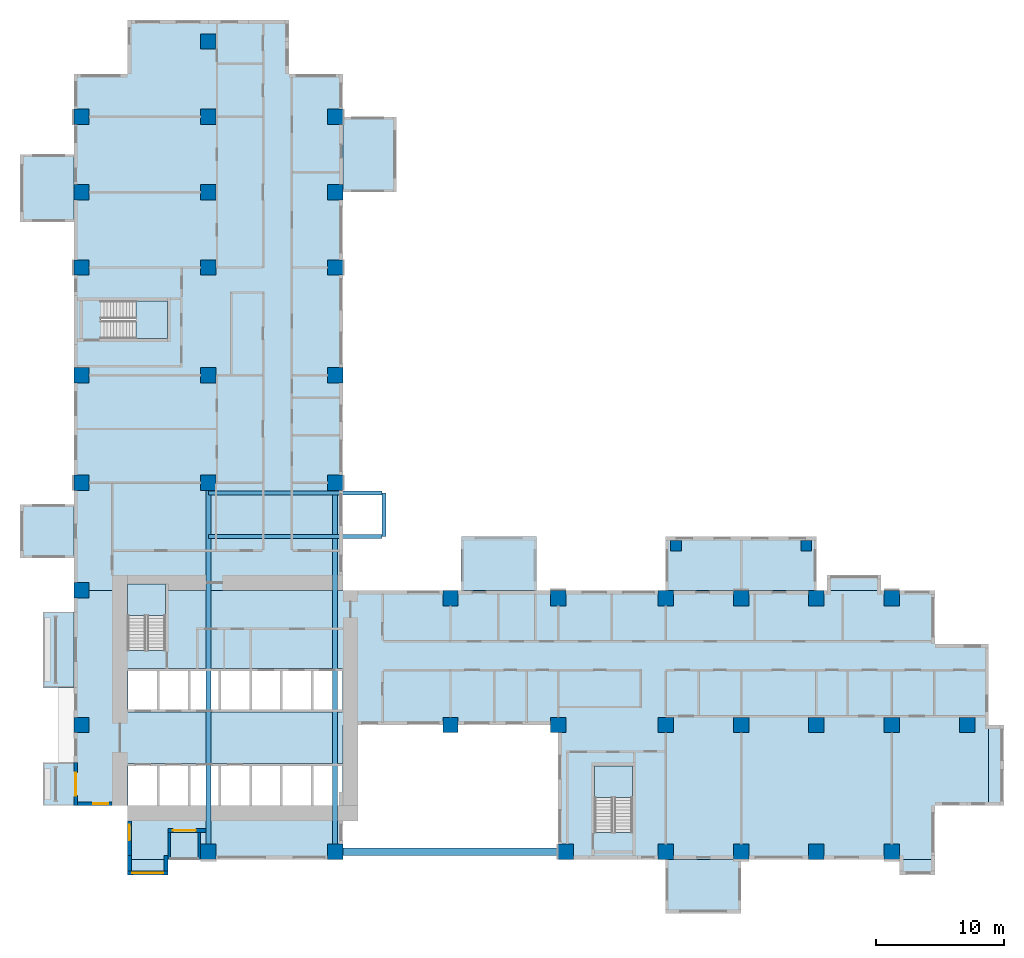
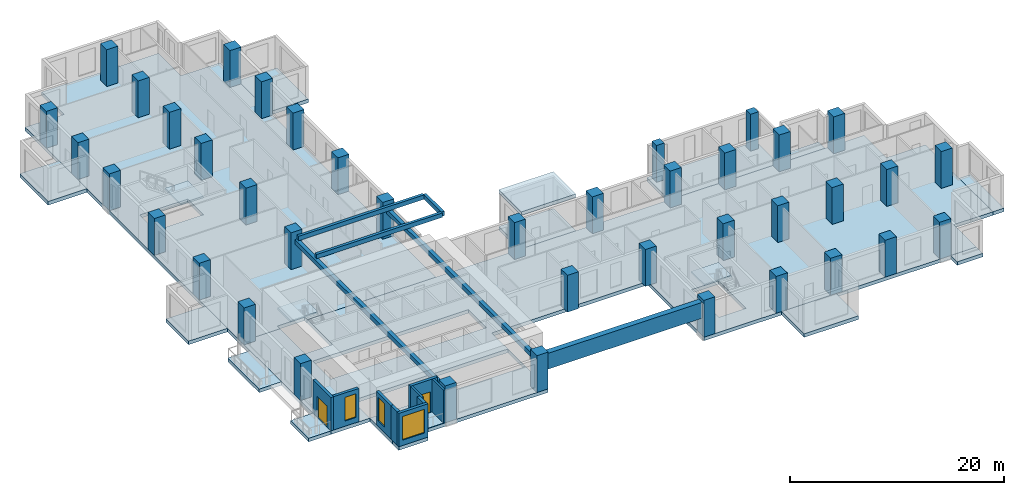
# One storey, part 1 of 14: 40 columns, 19 slabs, 9 walls, 6 beams, 3 windows, 2 doors, 5 openings, 3 elements without a shape of their own.
"""IFC4 building model written with IfcOpenShell, lengths in metres."""

from ifc_helpers import new_model, si_unit, direction, frame, frame_2d, origin, origin_2d, place, context, subcontext, project, spatial, polyline, rectangle, outline, extrude, source, transform, mapped, material, layer, layer_set, material_profile, profile_set, type_object, element, fill, aggregate, save


model = new_model("IFC4")

# Units and contexts
model_context = context("Model", 3, precision=1e-05, world=origin(), true_north=direction((0.0, 1.0)))
body_context = subcontext(model_context, "Body", "Model", "MODEL_VIEW")
ifc_project = project(units=[si_unit("LENGTHUNIT", "METRE"), si_unit("AREAUNIT", "SQUARE_METRE"), si_unit("VOLUMEUNIT", "CUBIC_METRE"), si_unit("PLANEANGLEUNIT", "RADIAN"), si_unit("MASSUNIT", "GRAM", prefix="KILO")], contexts=[model_context])

# Site, building, storey
site_placement = place(None, origin())
site = spatial("IfcSite", under=ifc_project, at=site_placement, CompositionType="ELEMENT")
building_placement = place(site_placement, origin())
building = spatial("IfcBuilding", under=site, at=building_placement, Name="Aurelian Terraces", CompositionType="ELEMENT")
storey_placement = place(building_placement, frame((0.0, 0.0, 57.3)))
storey = spatial("IfcBuildingStorey", under=building, at=storey_placement, Name="L11", CompositionType="ELEMENT", Elevation=57.3)

# Columns
ifc_material_1 = material(Name="Concrete fc' 83 MPa", Category="concrete")
ifc_material_profile_1 = material_profile(ifc_material_1, rectangle(XDim=1.2, YDim=1.2, at=origin_2d()))
ifc_profile_set_1 = profile_set([ifc_material_profile_1], Name="Concrete fc' 83 MPa")
column_type_1 = type_object("IfcColumnType", Name="RC COLUMN 1200X1200 FC83", PredefinedType="COLUMN", material=ifc_profile_set_1)
shared_shape_1 = source(origin(), body_context, "Body", "SweptSolid", [
    extrude(rectangle(XDim=1.2, YDim=1.2, at=origin_2d()), origin(), (0.0, 0.0, 1.0), 4.2),
])
for number, where, z_axis, x_axis, name in (
    (1, (10.5, 0.6, 0.0), (0.0, 0.0, 1.0), (1.0, 0.0, 0.0), "Column 2/A L11"),
    (2, (20.4, 0.6, 0.0), (0.0, 0.0, 1.0), (1.0, 0.0, 0.0), "Column 3/A L11"),
    (3, (38.4, 0.6, 0.0), (0.0, 0.0, 1.0), (1.0, 0.0, 0.0), "Column 5/A L11"),
    (4, (46.2, 0.6, 0.0), (0.0, 0.0, 1.0), (1.0, 0.0, 0.0), "Column 6/A L11"),
    (5, (52.08, 0.6, 0.0), (0.0, 0.0, 1.0), (1.0, 0.0, 0.0), "Column 7/A L11"),
    (6, (57.96, 0.6, 0.0), (0.0, 0.0, 1.0), (1.0, 0.0, 0.0), "Column 8/A L11"),
    (7, (63.84, 0.6, 0.0), (0.0, 0.0, 1.0), (1.0, 0.0, 0.0), "Column 9/A L11"),
    (8, (0.6, 10.5, 0.0), (0.0, 0.0, 1.0), (1.0, 0.0, 0.0), "Column 1/B L11"),
    (9, (29.4, 10.5, 0.0), (0.0, 0.0, 1.0), (1.0, 0.0, 0.0), "Column 4/B L11"),
    (10, (37.8, 10.5, 0.0), (0.0, 0.0, 1.0), (1.0, 0.0, 0.0), "Column 5/B L11"),
    (11, (46.2, 10.5, 0.0), (0.0, 0.0, 1.0), (1.0, 0.0, 0.0), "Column 6/B L11"),
    (12, (52.08, 10.5, 0.0), (0.0, 0.0, 1.0), (1.0, 0.0, 0.0), "Column 7/B L11"),
    (13, (57.96, 10.5, 0.0), (0.0, 0.0, 1.0), (1.0, 0.0, 0.0), "Column 8/B L11"),
    (14, (63.84, 10.5, 0.0), (0.0, 0.0, 1.0), (1.0, 0.0, 0.0), "Column 9/B L11"),
    (15, (69.72, 10.5, 0.0), (0.0, 0.0, 1.0), (1.0, 0.0, 0.0), "Column 10/B L11"),
    (16, (0.6, 21.0, 0.0), (0.0, 0.0, 1.0), (1.0, 0.0, 0.0), "Column 1/C L11"),
    (17, (29.4, 20.4, 0.0), (0.0, 0.0, 1.0), (1.0, 0.0, 0.0), "Column 4/C L11"),
    (18, (37.8, 20.4, 0.0), (0.0, 0.0, 1.0), (1.0, 0.0, 0.0), "Column 5/C L11"),
    (19, (46.2, 20.4, 0.0), (0.0, 0.0, 1.0), (1.0, 0.0, 0.0), "Column 6/C L11"),
    (20, (52.08, 20.4, 0.0), (0.0, 0.0, 1.0), (1.0, 0.0, 0.0), "Column 7/C L11"),
    (21, (57.96, 20.4, 0.0), (0.0, 0.0, 1.0), (1.0, 0.0, 0.0), "Column 8/C L11"),
    (22, (63.84, 20.4, 0.0), (0.0, 0.0, 1.0), (1.0, 0.0, 0.0), "Column 9/C L11"),
    (23, (0.6, 29.4, 0.0), (0.0, 0.0, 1.0), (1.0, 0.0, 0.0), "Column 1/D L11"),
    (24, (10.5, 29.4, 0.0), (0.0, 0.0, 1.0), (1.0, 0.0, 0.0), "Column 2/D L11"),
    (25, (20.4, 29.4, 0.0), (0.0, 0.0, 1.0), (1.0, 0.0, 0.0), "Column 3/D L11"),
    (26, (0.6, 37.8, 0.0), (0.0, 0.0, 1.0), (1.0, 0.0, 0.0), "Column 1/E L11"),
    (27, (10.5, 37.8, 0.0), (0.0, 0.0, 1.0), (1.0, 0.0, 0.0), "Column 2/E L11"),
    (28, (20.4, 37.8, 0.0), (0.0, 0.0, 1.0), (1.0, 0.0, 0.0), "Column 3/E L11"),
    (29, (0.6, 46.2, 0.0), (0.0, 0.0, 1.0), (1.0, 0.0, 0.0), "Column 1/F L11"),
    (30, (10.5, 46.2, 0.0), (0.0, 0.0, 1.0), (1.0, 0.0, 0.0), "Column 2/F L11"),
    (31, (20.4, 46.2, 0.0), (0.0, 0.0, 1.0), (1.0, 0.0, 0.0), "Column 3/F L11"),
    (32, (0.6, 52.08, 0.0), (0.0, 0.0, 1.0), (1.0, 0.0, 0.0), "Column 1/G L11"),
    (33, (10.5, 52.08, 0.0), (0.0, 0.0, 1.0), (1.0, 0.0, 0.0), "Column 2/G L11"),
    (34, (20.4, 52.08, 0.0), (0.0, 0.0, 1.0), (1.0, 0.0, 0.0), "Column 3/G L11"),
    (35, (0.6, 57.96, 0.0), (0.0, 0.0, 1.0), (1.0, 0.0, 0.0), "Column 1/H L11"),
    (36, (10.5, 57.96, 0.0), (0.0, 0.0, 1.0), (1.0, 0.0, 0.0), "Column 2/H L11"),
    (37, (20.4, 57.96, 0.0), (0.0, 0.0, 1.0), (1.0, 0.0, 0.0), "Column 3/H L11"),
    (38, (10.5, 63.84, 0.0), (0.0, 0.0, 1.0), (1.0, 0.0, 0.0), "Column 2/I L11"),
):
    element("IfcColumn", number, at=place(storey_placement, frame(where, z_axis=z_axis, x_axis=x_axis)), inside=storey, type_object=column_type_1, Name=name, PredefinedType="COLUMN", context=body_context, shape_type="MappedRepresentation", body=[
        mapped(shared_shape_1, transform((0.0, 0.0, 0.0), scale=1.0)),
    ])
ifc_material_2 = material(Name="Concrete fc' 55 MPa", Category="concrete")
ifc_material_profile_2 = material_profile(ifc_material_2, rectangle(XDim=0.84, YDim=0.84, at=origin_2d()))
ifc_profile_set_2 = profile_set([ifc_material_profile_2], Name="Concrete fc' 55 MPa")
column_type_2 = type_object("IfcColumnType", Name="BLOCK CORNER PIER 840X840", PredefinedType="COLUMN", material=ifc_profile_set_2)
shared_shape_2 = source(origin(), body_context, "Body", "SweptSolid", [
    extrude(rectangle(XDim=0.84, YDim=0.84, at=origin_2d()), origin(), (0.0, 0.0, 1.0), 4.2),
])
for number, where, z_axis, x_axis, name in (
    (39, (47.0, 24.48, 0.0), (0.0, 0.0, 1.0), (1.0, 0.0, 0.0), "Block pier K01.1 L11"),
    (40, (57.16, 24.48, 0.0), (0.0, 0.0, 1.0), (1.0, 0.0, 0.0), "Block pier K01.2 L11"),
):
    element("IfcColumn", number, at=place(storey_placement, frame(where, z_axis=z_axis, x_axis=x_axis)), inside=storey, type_object=column_type_2, Name=name, PredefinedType="COLUMN", context=body_context, shape_type="MappedRepresentation", body=[
        mapped(shared_shape_2, transform((0.0, 0.0, 0.0), scale=1.0)),
    ])

# Beams
ifc_material_3 = material(Name="Concrete fc' 40 MPa", Category="concrete")
ifc_material_profile_3 = material_profile(ifc_material_3, rectangle(XDim=0.3, YDim=0.5, at=origin_2d()))
ifc_profile_set_3 = profile_set([ifc_material_profile_3], Name="Concrete fc' 40 MPa")
beam_type_1 = type_object("IfcBeamType", Name="CONCRETE CANTILEVER BEAM 300X500", PredefinedType="BEAM", material=ifc_profile_set_3)
beam_1_placement = place(storey_placement, frame((24.2, 25.2, 3.55), z_axis=(0.0, 1.0, 0.0), x_axis=(-1.0, 0.0, 0.0)))
element("IfcBeam", 41, at=beam_1_placement, inside=storey, type_object=beam_type_1, Name="Box tip beam J11", PredefinedType="BEAM", context=body_context, shape_type="SweptSolid", body=[
    extrude(rectangle(XDim=0.3, YDim=0.5, at=origin_2d()), origin(), (0.0, 0.0, 1.0), 3.4),
])
ifc_material_4 = material(Name="Concrete fc' 70 MPa", Category="concrete")
ifc_material_profile_4 = material_profile(ifc_material_4, rectangle(XDim=0.6, YDim=1.8, at=origin_2d()))
ifc_profile_set_4 = profile_set([ifc_material_profile_4], Name="Concrete fc' 70 MPa")
beam_type_2 = type_object("IfcBeamType", Name="CONCRETE HEAD GIRDER 600X1800", PredefinedType="BEAM", material=ifc_profile_set_4)
beam_2_placement = place(storey_placement, frame((21.0, 0.6, 2.9), z_axis=(1.0, 0.0, 0.0), x_axis=(0.0, 1.0, 0.0)))
element("IfcBeam", 42, at=beam_2_placement, inside=storey, type_object=beam_type_2, Name="Sky terrace head girder SKY-01.1", PredefinedType="BEAM", context=body_context, shape_type="SweptSolid", body=[
    extrude(rectangle(XDim=0.6, YDim=1.8, at=origin_2d()), origin(), (0.0, 0.0, 1.0), 16.8),
])
shared_shape_3 = source(origin(), body_context, "Body", "SweptSolid", [
    extrude(rectangle(XDim=0.3, YDim=0.5, at=origin_2d()), origin(), (0.0, 0.0, 1.0), 13.55),
])
for number, where, z_axis, x_axis, name in (
    (43, (24.05, 25.2, 3.55), (-1.0, 0.0, 0.0), (0.0, -1.0, 0.0), "Box cantilever beam J11.1"),
    (44, (24.05, 28.6, 3.55), (-1.0, 0.0, 0.0), (0.0, -1.0, 0.0), "Box cantilever beam J11.2"),
):
    element("IfcBeam", number, at=place(storey_placement, frame(where, z_axis=z_axis, x_axis=x_axis)), inside=storey, type_object=beam_type_1, Name=name, PredefinedType="BEAM", context=body_context, shape_type="MappedRepresentation", body=[
        mapped(shared_shape_3, transform((0.0, 0.0, 0.0), scale=1.0)),
    ])
ifc_material_profile_5 = material_profile(ifc_material_3, rectangle(XDim=0.4, YDim=0.5, at=origin_2d()))
ifc_profile_set_5 = profile_set([ifc_material_profile_5], Name="Concrete fc' 40 MPa")
beam_type_3 = type_object("IfcBeamType", Name="CONCRETE EDGE GIRDER 400X500", PredefinedType="BEAM", material=ifc_profile_set_5)
shared_shape_4 = source(origin(), body_context, "Body", "SweptSolid", [
    extrude(rectangle(XDim=0.4, YDim=0.5, at=origin_2d()), origin(), (0.0, 0.0, 1.0), 27.6),
])
for number, where, z_axis, x_axis, name in (
    (45, (20.4, 1.2, 3.05), (0.0, 1.0, 0.0), (-1.0, 0.0, 0.0), "Box girder L11 O23"),
    (46, (10.5, 1.2, 3.05), (0.0, 1.0, 0.0), (-1.0, 0.0, 0.0), "Box girder L11 I24"),
):
    element("IfcBeam", number, at=place(storey_placement, frame(where, z_axis=z_axis, x_axis=x_axis)), inside=storey, type_object=beam_type_3, Name=name, PredefinedType="BEAM", context=body_context, shape_type="MappedRepresentation", body=[
        mapped(shared_shape_4, transform((0.0, 0.0, 0.0), scale=1.0)),
    ])

# Slabs
ifc_layer_1 = layer(ifc_material_3, 0.41)
ifc_layer_set_1 = layer_set([ifc_layer_1], Name="Box floor 410")
slab_type_1 = type_object("IfcSlabType", Name="Box floor 410", PredefinedType="NOTDEFINED", material=ifc_layer_set_1)
slab_1_placement = place(storey_placement, frame((0.0, 0.0, -0.41)))
element("IfcSlab", 47, at=slab_1_placement, inside=storey, type_object=slab_type_1, Name="Box floor L11 J08", PredefinedType="NOTDEFINED", context=body_context, shape_type="SweptSolid", body=[
    extrude(outline(polyline([(25.2, 52.08), (25.2, 57.96), (21.0, 57.96), (21.0, 52.08), (25.2, 52.08)])), origin(), (0.0, 0.0, 1.0), 0.41),
])
ifc_layer_2 = layer(ifc_material_3, 0.4)
ifc_layer_set_2 = layer_set([ifc_layer_2], Name="Box roof 400")
slab_type_2 = type_object("IfcSlabType", Name="Box roof 400", PredefinedType="ROOF", material=ifc_layer_set_2)
slab_2_placement = place(storey_placement, frame((0.0, 0.0, 3.8)))
element("IfcSlab", 48, at=slab_2_placement, inside=storey, type_object=slab_type_2, Name="Box roof J06", PredefinedType="ROOF", context=body_context, shape_type="SweptSolid", body=[
    extrude(outline(polyline([(36.12, 25.2), (30.24, 25.2), (30.24, 21.0), (36.12, 21.0), (36.12, 25.2)])), origin(), (0.0, 0.0, 1.0), 0.4),
])
ifc_layer_3 = layer(ifc_material_3, 0.4)
ifc_layer_set_3 = layer_set([ifc_layer_3], Name="PT FLAT PLATE 400")
slab_type_3 = type_object("IfcSlabType", Name="PT FLAT PLATE 400", PredefinedType="FLOOR", material=ifc_layer_set_3)
shared_shape_5 = source(origin(), body_context, "Body", "SweptSolid", [
    extrude(outline(polyline([(7.14, 21.0), (7.14, 21.49), (4.21, 21.49), (4.21, 21.0), (0.0, 21.0), (0.0, 61.32), (4.2, 61.32), (4.2, 65.52), (16.8, 65.52), (16.8, 61.32), (21.0, 61.32), (21.0, 21.0), (7.14, 21.0)]), holes=[polyline([(7.29, 43.59), (2.11, 43.59), (2.11, 40.66), (7.29, 40.66), (7.29, 43.59)])]), origin(), (0.0, 0.0, 1.0), 0.4),
])
slab_3_placement = place(storey_placement, frame((0.0, 0.0, -0.4)))
element("IfcSlab", 49, at=slab_3_placement, inside=storey, type_object=slab_type_3, Name="Floor slab W L11", PredefinedType="FLOOR", context=body_context, shape_type="MappedRepresentation", body=[
    mapped(shared_shape_5, transform((0.0, 0.0, 0.0), scale=1.0)),
])
shared_shape_6 = source(origin(), body_context, "Body", "SweptSolid", [
    extrude(outline(polyline([(71.4, 16.8), (71.4, 4.2), (67.2, 4.2), (67.2, 0.0), (37.8, 0.0), (37.8, 10.5), (21.0, 10.5), (21.0, 0.0), (4.2, 0.0), (4.2, 4.2), (0.0, 4.2), (0.0, 21.0), (4.21, 21.0), (4.21, 16.31), (7.14, 16.31), (7.14, 21.0), (21.0, 21.0), (67.2, 21.0), (67.2, 16.8), (71.4, 16.8)]), holes=[polyline([(40.66, 2.11), (43.59, 2.11), (43.59, 7.29), (40.66, 7.29), (40.66, 2.11)]), polyline([(4.21, 7.49), (4.21, 4.21), (20.99, 4.21), (20.99, 7.49), (4.21, 7.49)]), polyline([(4.21, 14.89), (4.21, 11.51), (20.99, 11.51), (20.99, 14.89), (4.21, 14.89)])]), origin(), (0.0, 0.0, 1.0), 0.4),
])
slab_4_placement = place(storey_placement, frame((0.0, 0.0, -0.4)))
element("IfcSlab", 50, at=slab_4_placement, inside=storey, type_object=slab_type_3, Name="Floor slab S L11", PredefinedType="FLOOR", context=body_context, shape_type="MappedRepresentation", body=[
    mapped(shared_shape_6, transform((0.0, 0.0, 0.0), scale=1.0)),
])
ifc_layer_4 = layer(ifc_material_3, 0.4)
ifc_layer_set_4 = layer_set([ifc_layer_4], Name="Bay floor 400")
slab_type_4 = type_object("IfcSlabType", Name="Bay floor 400", PredefinedType="NOTDEFINED", material=ifc_layer_set_4)
shared_shape_7 = source(origin(), body_context, "Body", "SweptSolid", [
    extrude(outline(polyline([(63.0, 21.0), (58.8, 21.0), (58.8, 22.2), (63.0, 22.2), (63.0, 21.0)])), origin(), (0.0, 0.0, 1.0), 0.4),
])
slab_5_placement = place(storey_placement, frame((0.0, 0.0, -0.4)))
element("IfcSlab", 51, at=slab_5_placement, inside=storey, type_object=slab_type_4, Name="Bay floor L11 F11.22", PredefinedType="NOTDEFINED", context=body_context, shape_type="MappedRepresentation", body=[
    mapped(shared_shape_7, transform((0.0, 0.0, 0.0), scale=1.0)),
])
ifc_layer_5 = layer(ifc_material_3, 0.4)
ifc_layer_set_5 = layer_set([ifc_layer_5], Name="Balcony slab 400")
slab_type_5 = type_object("IfcSlabType", Name="Balcony slab 400", PredefinedType="NOTDEFINED", material=ifc_layer_set_5)
shared_shape_8 = source(origin(), body_context, "Body", "SweptSolid", [
    extrude(outline(polyline([(0.0, 19.32), (0.0, 13.44), (-2.4, 13.44), (-2.4, 19.32), (0.0, 19.32)])), origin(), (0.0, 0.0, 1.0), 0.4),
])
slab_6_placement = place(storey_placement, frame((0.0, 0.0, -0.4)))
element("IfcSlab", 52, at=slab_6_placement, inside=storey, type_object=slab_type_5, Name="Balcony slab L11 F18.40", PredefinedType="NOTDEFINED", context=body_context, shape_type="MappedRepresentation", body=[
    mapped(shared_shape_8, transform((0.0, 0.0, 0.0), scale=1.0)),
])
shared_shape_9 = source(origin(), body_context, "Body", "SweptSolid", [
    extrude(outline(polyline([(46.2, -4.2), (52.08, -4.2), (52.08, 0.0), (46.2, 0.0), (46.2, -4.2)])), origin(), (0.0, 0.0, 1.0), 0.41),
])
slab_7_placement = place(storey_placement, frame((0.0, 0.0, -0.41)))
element("IfcSlab", 53, at=slab_7_placement, inside=storey, type_object=slab_type_1, Name="Box floor L11 J07", PredefinedType="NOTDEFINED", context=body_context, shape_type="MappedRepresentation", body=[
    mapped(shared_shape_9, transform((0.0, 0.0, 0.0), scale=1.0)),
])
shared_shape_10 = source(origin(), body_context, "Body", "SweptSolid", [
    extrude(outline(polyline([(-4.2, 27.72), (-4.2, 23.52), (0.0, 23.52), (0.0, 27.72), (-4.2, 27.72)])), origin(), (0.0, 0.0, 1.0), 0.41),
])
slab_8_placement = place(storey_placement, frame((0.0, 0.0, -0.41)))
element("IfcSlab", 54, at=slab_8_placement, inside=storey, type_object=slab_type_1, Name="Box floor L11 J09", PredefinedType="NOTDEFINED", context=body_context, shape_type="MappedRepresentation", body=[
    mapped(shared_shape_10, transform((0.0, 0.0, 0.0), scale=1.0)),
])
shared_shape_11 = source(origin(), body_context, "Body", "SweptSolid", [
    extrude(outline(polyline([(-4.2, 55.02), (-4.2, 49.77), (0.0, 49.77), (0.0, 55.02), (-4.2, 55.02)])), origin(), (0.0, 0.0, 1.0), 0.41),
])
slab_9_placement = place(storey_placement, frame((0.0, 0.0, -0.41)))
element("IfcSlab", 55, at=slab_9_placement, inside=storey, type_object=slab_type_1, Name="Box floor L11 J10", PredefinedType="NOTDEFINED", context=body_context, shape_type="MappedRepresentation", body=[
    mapped(shared_shape_11, transform((0.0, 0.0, 0.0), scale=1.0)),
])
shared_shape_12 = source(origin(), body_context, "Body", "SweptSolid", [
    extrude(outline(polyline([(0.0, 7.56), (0.0, 4.2), (-2.4, 4.2), (-2.4, 7.56), (0.0, 7.56)])), origin(), (0.0, 0.0, 1.0), 0.4),
])
slab_10_placement = place(storey_placement, frame((0.0, 0.0, -0.4)))
element("IfcSlab", 56, at=slab_10_placement, inside=storey, type_object=slab_type_5, Name="Balcony slab L11 F18.42", PredefinedType="NOTDEFINED", context=body_context, shape_type="MappedRepresentation", body=[
    mapped(shared_shape_12, transform((0.0, 0.0, 0.0), scale=1.0)),
])
shared_shape_13 = source(origin(), body_context, "Body", "SweptSolid", [
    extrude(outline(polyline([(57.96, 25.2), (46.2, 25.2), (46.2, 21.0), (57.96, 21.0), (57.96, 25.2)])), origin(), (0.0, 0.0, 1.0), 0.41),
])
slab_11_placement = place(storey_placement, frame((0.0, 0.0, -0.41)))
element("IfcSlab", 57, at=slab_11_placement, inside=storey, type_object=slab_type_1, Name="Box floor L11 K01", PredefinedType="NOTDEFINED", context=body_context, shape_type="MappedRepresentation", body=[
    mapped(shared_shape_13, transform((0.0, 0.0, 0.0), scale=1.0)),
])
shared_shape_14 = source(origin(), body_context, "Body", "SweptSolid", [
    extrude(outline(polyline([(4.2, 0.0), (7.35, 0.0), (7.35, -1.2), (4.2, -1.2), (4.2, 0.0)])), origin(), (0.0, 0.0, 1.0), 0.4),
])
slab_12_placement = place(storey_placement, frame((0.0, 0.0, -0.4)))
element("IfcSlab", 58, at=slab_12_placement, inside=storey, type_object=slab_type_4, Name="Bay floor L11 F01.1", PredefinedType="NOTDEFINED", context=body_context, shape_type="MappedRepresentation", body=[
    mapped(shared_shape_14, transform((0.0, 0.0, 0.0), scale=1.0)),
])
ifc_material_5 = material(Name="Granite paving", Category="masonry")
ifc_layer_6 = layer(ifc_material_5, 0.05)
ifc_layer_set_6 = layer_set([ifc_layer_6], Name="Loggia paving 50")
slab_type_6 = type_object("IfcSlabType", Name="Loggia paving 50", PredefinedType="NOTDEFINED", material=ifc_layer_set_6)
shared_shape_15 = source(origin(), body_context, "Body", "SweptSolid", [
    extrude(outline(polyline([(7.55, 0.0), (9.7, 0.0), (9.7, 2.1), (7.55, 2.1), (7.55, 0.0)])), origin(), (0.0, 0.0, 1.0), 0.05),
])
slab_13_placement = place(storey_placement, origin())
element("IfcSlab", 59, at=slab_13_placement, inside=storey, type_object=slab_type_6, Name="Loggia floor L11 F01.2", PredefinedType="NOTDEFINED", context=body_context, shape_type="MappedRepresentation", body=[
    mapped(shared_shape_15, transform((0.0, 0.0, 0.0), scale=1.0)),
])
shared_shape_16 = source(origin(), body_context, "Body", "SweptSolid", [
    extrude(outline(polyline([(64.44, 0.0), (67.2, 0.0), (67.2, -1.2), (64.44, -1.2), (64.44, 0.0)])), origin(), (0.0, 0.0, 1.0), 0.4),
])
slab_14_placement = place(storey_placement, frame((0.0, 0.0, -0.4)))
element("IfcSlab", 60, at=slab_14_placement, inside=storey, type_object=slab_type_4, Name="Bay floor L11 F05.13", PredefinedType="NOTDEFINED", context=body_context, shape_type="MappedRepresentation", body=[
    mapped(shared_shape_16, transform((0.0, 0.0, 0.0), scale=1.0)),
])
shared_shape_17 = source(origin(), body_context, "Body", "SweptSolid", [
    extrude(outline(polyline([(36.12, 25.2), (30.24, 25.2), (30.24, 21.0), (36.12, 21.0), (36.12, 25.2)])), origin(), (0.0, 0.0, 1.0), 0.41),
])
slab_15_placement = place(storey_placement, frame((0.0, 0.0, -0.41)))
element("IfcSlab", 61, at=slab_15_placement, inside=storey, type_object=slab_type_1, Name="Box floor L11 J06", PredefinedType="NOTDEFINED", context=body_context, shape_type="MappedRepresentation", body=[
    mapped(shared_shape_17, transform((0.0, 0.0, 0.0), scale=1.0)),
])
shared_shape_18 = source(origin(), body_context, "Body", "SweptSolid", [
    extrude(outline(polyline([(71.4, 4.2), (71.4, 10.5), (72.6, 10.5), (72.6, 4.2), (71.4, 4.2)])), origin(), (0.0, 0.0, 1.0), 0.4),
])
slab_16_placement = place(storey_placement, frame((0.0, 0.0, -0.4)))
element("IfcSlab", 62, at=slab_16_placement, inside=storey, type_object=slab_type_4, Name="Bay floor L11 F08.17", PredefinedType="NOTDEFINED", context=body_context, shape_type="MappedRepresentation", body=[
    mapped(shared_shape_18, transform((0.0, 0.0, 0.0), scale=1.0)),
])

# Stair, slab
stair_type = type_object("IfcStairType", Name="Stair 1400", PredefinedType="HALF_TURN_STAIR", material=ifc_material_3)
stair_1_placement = place(storey_placement, origin())
stair_1 = element("IfcStair", 63, at=stair_1_placement, inside=storey, type_object=stair_type, Name="L11 S1", PredefinedType="HALF_TURN_STAIR")
ifc_layer_7 = layer(ifc_material_3, 0.2)
ifc_layer_set_7 = layer_set([ifc_layer_7], Name="Stair landing 200")
slab_type_7 = type_object("IfcSlabType", Name="Stair landing 200", PredefinedType="LANDING", material=ifc_layer_set_7)
shared_shape_19 = source(origin(), body_context, "Body", "SweptSolid", [
    extrude(outline(polyline([(7.15, 19.05), (7.15, 21.5), (4.2, 21.5), (4.2, 19.05), (7.15, 19.05)])), origin(), (0.0, 0.0, 1.0), 0.2),
])
slab_17_placement = place(storey_placement, frame((0.0, 0.0, 1.9)))
slab_17 = element("IfcSlab", 64, at=slab_17_placement, type_object=slab_type_7, Name="S1 landing 1", PredefinedType="LANDING", context=body_context, shape_type="MappedRepresentation", body=[
    mapped(shared_shape_19, transform((0.0, 0.0, 0.0), scale=1.0)),
])
aggregate(stair_1, [slab_17])

stair_2_placement = place(storey_placement, origin())
stair_2 = element("IfcStair", 65, at=stair_2_placement, inside=storey, type_object=stair_type, Name="L11 S2", PredefinedType="HALF_TURN_STAIR")
shared_shape_20 = source(origin(), body_context, "Body", "SweptSolid", [
    extrude(outline(polyline([(43.6, 4.85), (43.6, 7.3), (40.65, 7.3), (40.65, 4.85), (43.6, 4.85)])), origin(), (0.0, 0.0, 1.0), 0.2),
])
slab_18_placement = place(storey_placement, frame((0.0, 0.0, 1.9)))
slab_18 = element("IfcSlab", 66, at=slab_18_placement, type_object=slab_type_7, Name="S2 landing 1", PredefinedType="LANDING", context=body_context, shape_type="MappedRepresentation", body=[
    mapped(shared_shape_20, transform((0.0, 0.0, 0.0), scale=1.0)),
])
aggregate(stair_2, [slab_18])

stair_3_placement = place(storey_placement, origin())
stair_3 = element("IfcStair", 67, at=stair_3_placement, inside=storey, type_object=stair_type, Name="L11 S3", PredefinedType="HALF_TURN_STAIR")
shared_shape_21 = source(origin(), body_context, "Body", "SweptSolid", [
    extrude(outline(polyline([(4.85, 40.65), (7.3, 40.65), (7.3, 43.6), (4.85, 43.6), (4.85, 40.65)])), origin(), (0.0, 0.0, 1.0), 0.2),
])
slab_19_placement = place(storey_placement, frame((0.0, 0.0, 1.9)))
slab_19 = element("IfcSlab", 68, at=slab_19_placement, type_object=slab_type_7, Name="S3 landing 1", PredefinedType="LANDING", context=body_context, shape_type="MappedRepresentation", body=[
    mapped(shared_shape_21, transform((0.0, 0.0, 0.0), scale=1.0)),
])
aggregate(stair_3, [slab_19])

# Wall, opening, window
ifc_material_6 = material(Name="Terracotta rainscreen cladding", Category="masonry")
ifc_layer_8 = layer(ifc_material_6, 0.3)
ifc_layer_set_8 = layer_set([ifc_layer_8], Name="EW-300")
wall_type_1 = type_object("IfcWallType", Name="EW-300", PredefinedType="STANDARD", material=ifc_layer_set_8)
shared_shape_22 = source(origin(), body_context, "Body", "SweptSolid", [
    extrude(rectangle(XDim=3.15, YDim=0.3, at=frame_2d((1.575, 0.0))), origin(), (0.0, 0.0, 1.0), 3.8),
])
wall_1_placement = place(storey_placement, frame((4.2, -1.05, 0.0), z_axis=(0.0, 0.0, 1.0), x_axis=(1.0, 0.0, 0.0)))
wall_1 = element("IfcWall", 69, at=wall_1_placement, inside=storey, type_object=wall_type_1, Name="Bay wall L11 F01.1", PredefinedType="STANDARD", context=body_context, shape_type="MappedRepresentation", body=[
    mapped(shared_shape_22, transform((0.0, 0.0, 0.0), scale=1.0)),
])
shared_shape_23 = source(origin(), body_context, "Body", "SweptSolid", [
    extrude(rectangle(XDim=2.4, YDim=2.7, at=frame_2d((1.2, 1.35))), frame((0.0, 0.16, 0.0), z_axis=(0.0, -1.0, 0.0), x_axis=(1.0, 0.0, 0.0)), (0.0, 0.0, 1.0), 0.32),
])
opening_1_placement = place(wall_1_placement, frame((0.375, 0.0, 0.6)))
opening_1 = element("IfcOpeningElement", 70, at=opening_1_placement, cuts=wall_1, Name="Opening W2427", PredefinedType="OPENING", context=body_context, shape_type="MappedRepresentation", body=[
    mapped(shared_shape_23, transform((0.0, 0.0, 0.0), scale=1.0)),
])
ifc_material_7 = material(Name="Clear glazing", Category="glass")
window_type_1 = type_object("IfcWindowType", Name="W-2400x2700", PartitioningType="SINGLE_PANEL", PredefinedType="WINDOW", material=ifc_material_7)
shared_shape_24 = source(origin(), body_context, "Body", "SweptSolid", [
    extrude(rectangle(XDim=2.4, YDim=2.7, at=frame_2d((1.2, 1.35))), frame((0.0, 0.03, 0.0), z_axis=(0.0, -1.0, 0.0), x_axis=(1.0, 0.0, 0.0)), (0.0, 0.0, 1.0), 0.06),
])
window_1_placement = place(opening_1_placement, origin())
window_1 = element("IfcWindow", 71, at=window_1_placement, inside=storey, type_object=window_type_1, Name="Window L11 L11-F01-01-0", OverallHeight=2.7, OverallWidth=2.4, PartitioningType="SINGLE_PANEL", PredefinedType="WINDOW", context=body_context, shape_type="MappedRepresentation", body=[
    mapped(shared_shape_24, transform((0.0, 0.0, 0.0), scale=1.0)),
])
fill(opening_1, window_1)

# Walls
shared_shape_25 = source(origin(), body_context, "Body", "SweptSolid", [
    extrude(rectangle(XDim=1.2, YDim=0.3, at=frame_2d((0.6, 0.0))), origin(), (0.0, 0.0, 1.0), 3.8),
])
for number, where, z_axis, x_axis, name in (
    (72, (4.35, 0.3, 0.0), (0.0, 0.0, 1.0), (0.0, -1.0, 0.0), "Bay return L11 F01.1.1"),
    (73, (7.2, 0.3, 0.0), (0.0, 0.0, 1.0), (0.0, -1.0, 0.0), "Bay return L11 F01.1.2"),
):
    element("IfcWall", number, at=place(storey_placement, frame(where, z_axis=z_axis, x_axis=x_axis)), inside=storey, type_object=wall_type_1, Name=name, PredefinedType="STANDARD", context=body_context, shape_type="MappedRepresentation", body=[
        mapped(shared_shape_25, transform((0.0, 0.0, 0.0), scale=1.0)),
    ])
ifc_layer_9 = layer(ifc_material_6, 0.2)
ifc_layer_set_9 = layer_set([ifc_layer_9], Name="EW-200")
wall_type_2 = type_object("IfcWallType", Name="EW-200", PredefinedType="STANDARD", material=ifc_layer_set_9)
shared_shape_26 = source(origin(), body_context, "Body", "SweptSolid", [
    extrude(rectangle(XDim=2.1, YDim=0.2, at=frame_2d((1.05, 0.0))), origin(), (0.0, 0.0, 1.0), 3.8),
])
for number, where, z_axis, x_axis, name in (
    (74, (7.45, 0.0, 0.0), (0.0, 0.0, 1.0), (0.0, 1.0, 0.0), "Loggia return L11 F01.2.1"),
    (75, (9.8, 0.0, 0.0), (0.0, 0.0, 1.0), (0.0, 1.0, 0.0), "Loggia return L11 F01.2.2"),
):
    element("IfcWall", number, at=place(storey_placement, frame(where, z_axis=z_axis, x_axis=x_axis)), inside=storey, type_object=wall_type_2, Name=name, PredefinedType="STANDARD", context=body_context, shape_type="MappedRepresentation", body=[
        mapped(shared_shape_26, transform((0.0, 0.0, 0.0), scale=1.0)),
    ])

# Wall, opening, window
shared_shape_27 = source(origin(), body_context, "Body", "SweptSolid", [
    extrude(rectangle(XDim=3.0, YDim=0.3, at=frame_2d((1.5, 0.0))), origin(), (0.0, 0.0, 1.0), 3.8),
])
wall_2_placement = place(storey_placement, frame((0.0, 4.35, 0.0), z_axis=(0.0, 0.0, 1.0), x_axis=(1.0, 0.0, 0.0)))
wall_2 = element("IfcWall", 76, at=wall_2_placement, inside=storey, type_object=wall_type_1, Name="External wall L11 F19.43", PredefinedType="STANDARD", context=body_context, shape_type="MappedRepresentation", body=[
    mapped(shared_shape_27, transform((0.0, 0.0, 0.0), scale=1.0)),
])
shared_shape_28 = source(origin(), body_context, "Body", "SweptSolid", [
    extrude(rectangle(XDim=1.2, YDim=2.7, at=frame_2d((0.6, 1.35))), frame((0.0, 0.16, 0.0), z_axis=(0.0, -1.0, 0.0), x_axis=(1.0, 0.0, 0.0)), (0.0, 0.0, 1.0), 0.32),
])
opening_2_placement = place(wall_2_placement, frame((1.5, 0.0, 0.6)))
opening_2 = element("IfcOpeningElement", 77, at=opening_2_placement, cuts=wall_2, Name="Opening W1227", PredefinedType="OPENING", context=body_context, shape_type="MappedRepresentation", body=[
    mapped(shared_shape_28, transform((0.0, 0.0, 0.0), scale=1.0)),
])
window_type_2 = type_object("IfcWindowType", Name="W-1200x2700", PartitioningType="SINGLE_PANEL", PredefinedType="WINDOW", material=ifc_material_7)
shared_shape_29 = source(origin(), body_context, "Body", "SweptSolid", [
    extrude(rectangle(XDim=1.2, YDim=2.7, at=frame_2d((0.6, 1.35))), frame((0.0, 0.03, 0.0), z_axis=(0.0, -1.0, 0.0), x_axis=(1.0, 0.0, 0.0)), (0.0, 0.0, 1.0), 0.06),
])
window_2_placement = place(opening_2_placement, origin())
window_2 = element("IfcWindow", 78, at=window_2_placement, inside=storey, type_object=window_type_2, Name="Window L11 L11-F19-43-0", OverallHeight=2.7, OverallWidth=1.2, PartitioningType="SINGLE_PANEL", PredefinedType="WINDOW", context=body_context, shape_type="MappedRepresentation", body=[
    mapped(shared_shape_29, transform((0.0, 0.0, 0.0), scale=1.0)),
])
fill(opening_2, window_2)

wall_3_placement = place(storey_placement, frame((4.35, 3.0, 0.0), z_axis=(0.0, 0.0, 1.0), x_axis=(0.0, -1.0, 0.0)))
wall_3 = element("IfcWall", 79, at=wall_3_placement, inside=storey, type_object=wall_type_1, Name="External wall L11 F20.44", PredefinedType="STANDARD", context=body_context, shape_type="MappedRepresentation", body=[
    mapped(shared_shape_27, transform((0.0, 0.0, 0.0), scale=1.0)),
])
opening_3_placement = place(wall_3_placement, frame((0.3, 0.0, 0.6)))
opening_3 = element("IfcOpeningElement", 80, at=opening_3_placement, cuts=wall_3, Name="Opening W1227", PredefinedType="OPENING", context=body_context, shape_type="MappedRepresentation", body=[
    mapped(shared_shape_28, transform((0.0, 0.0, 0.0), scale=1.0)),
])
window_3_placement = place(opening_3_placement, origin())
window_3 = element("IfcWindow", 81, at=window_3_placement, inside=storey, type_object=window_type_2, Name="Window L11 L11-F20-44-0", OverallHeight=2.7, OverallWidth=1.2, PartitioningType="SINGLE_PANEL", PredefinedType="WINDOW", context=body_context, shape_type="MappedRepresentation", body=[
    mapped(shared_shape_29, transform((0.0, 0.0, 0.0), scale=1.0)),
])
fill(opening_3, window_3)

# Wall, opening, door
shared_shape_30 = source(origin(), body_context, "Body", "SweptSolid", [
    extrude(rectangle(XDim=3.36, YDim=0.3, at=frame_2d((1.68, 0.0))), origin(), (0.0, 0.0, 1.0), 3.8),
])
wall_4_placement = place(storey_placement, frame((0.15, 7.56, 0.0), z_axis=(0.0, 0.0, 1.0), x_axis=(0.0, -1.0, 0.0)))
wall_4 = element("IfcWall", 82, at=wall_4_placement, inside=storey, type_object=wall_type_1, Name="External wall L11 F18.42", PredefinedType="STANDARD", context=body_context, shape_type="MappedRepresentation", body=[
    mapped(shared_shape_30, transform((0.0, 0.0, 0.0), scale=1.0)),
])
shared_shape_31 = source(origin(), body_context, "Body", "SweptSolid", [
    extrude(rectangle(XDim=1.8, YDim=2.4, at=frame_2d((0.9, 1.2))), frame((0.0, 0.16, 0.0), z_axis=(0.0, -1.0, 0.0), x_axis=(1.0, 0.0, 0.0)), (0.0, 0.0, 1.0), 0.32),
])
opening_4_placement = place(wall_4_placement, frame((0.78, 0.0, 0.0)))
opening_4 = element("IfcOpeningElement", 83, at=opening_4_placement, cuts=wall_4, Name="Opening 81103", PredefinedType="OPENING", context=body_context, shape_type="MappedRepresentation", body=[
    mapped(shared_shape_31, transform((0.0, 0.0, 0.0), scale=1.0)),
])
door_type = type_object("IfcDoorType", Name="BD-1800x2400", OperationType="SLIDING_TO_LEFT", PredefinedType="DOOR", material=ifc_material_7)
shared_shape_32 = source(origin(), body_context, "Body", "SweptSolid", [
    extrude(rectangle(XDim=1.8, YDim=2.4, at=frame_2d((0.9, 1.2))), frame((0.0, 0.025, 0.0), z_axis=(0.0, -1.0, 0.0), x_axis=(1.0, 0.0, 0.0)), (0.0, 0.0, 1.0), 0.05),
])
door_1_placement = place(opening_4_placement, origin())
door_1 = element("IfcDoor", 84, at=door_1_placement, inside=storey, type_object=door_type, Name="Balcony door L11 F18.42", OperationType="SLIDING_TO_LEFT", OverallHeight=2.4, OverallWidth=1.8, PredefinedType="DOOR", context=body_context, shape_type="MappedRepresentation", body=[
    mapped(shared_shape_32, transform((0.0, 0.0, 0.0), scale=1.0)),
])
fill(opening_4, door_1)

shared_shape_33 = source(origin(), body_context, "Body", "SweptSolid", [
    extrude(rectangle(XDim=2.95, YDim=0.3, at=frame_2d((1.475, 0.0))), origin(), (0.0, 0.0, 1.0), 3.8),
])
wall_5_placement = place(storey_placement, frame((7.35, 2.25, 0.0), z_axis=(0.0, 0.0, 1.0), x_axis=(1.0, 0.0, 0.0)))
wall_5 = element("IfcWall", 85, at=wall_5_placement, inside=storey, type_object=wall_type_1, Name="Loggia wall L11 F01.2", PredefinedType="STANDARD", context=body_context, shape_type="MappedRepresentation", body=[
    mapped(shared_shape_33, transform((0.0, 0.0, 0.0), scale=1.0)),
])
opening_5_placement = place(wall_5_placement, frame((0.375, 0.0, 0.0)))
opening_5 = element("IfcOpeningElement", 86, at=opening_5_placement, cuts=wall_5, Name="Opening 81101", PredefinedType="OPENING", context=body_context, shape_type="MappedRepresentation", body=[
    mapped(shared_shape_31, transform((0.0, 0.0, 0.0), scale=1.0)),
])
door_2_placement = place(opening_5_placement, origin())
door_2 = element("IfcDoor", 87, at=door_2_placement, inside=storey, type_object=door_type, Name="Balcony door L11 F01.2", OperationType="SLIDING_TO_LEFT", OverallHeight=2.4, OverallWidth=1.8, PredefinedType="DOOR", context=body_context, shape_type="MappedRepresentation", body=[
    mapped(shared_shape_32, transform((0.0, 0.0, 0.0), scale=1.0)),
])
fill(opening_5, door_2)

save(model, "model.ifc")
